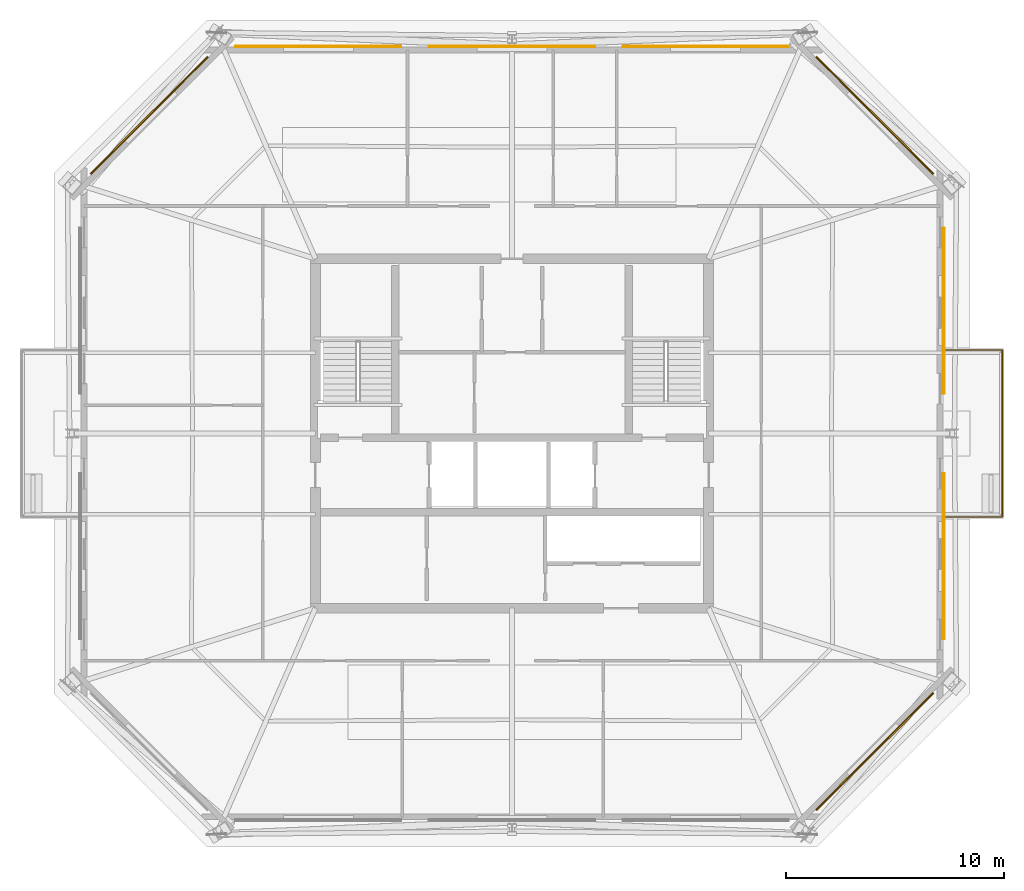
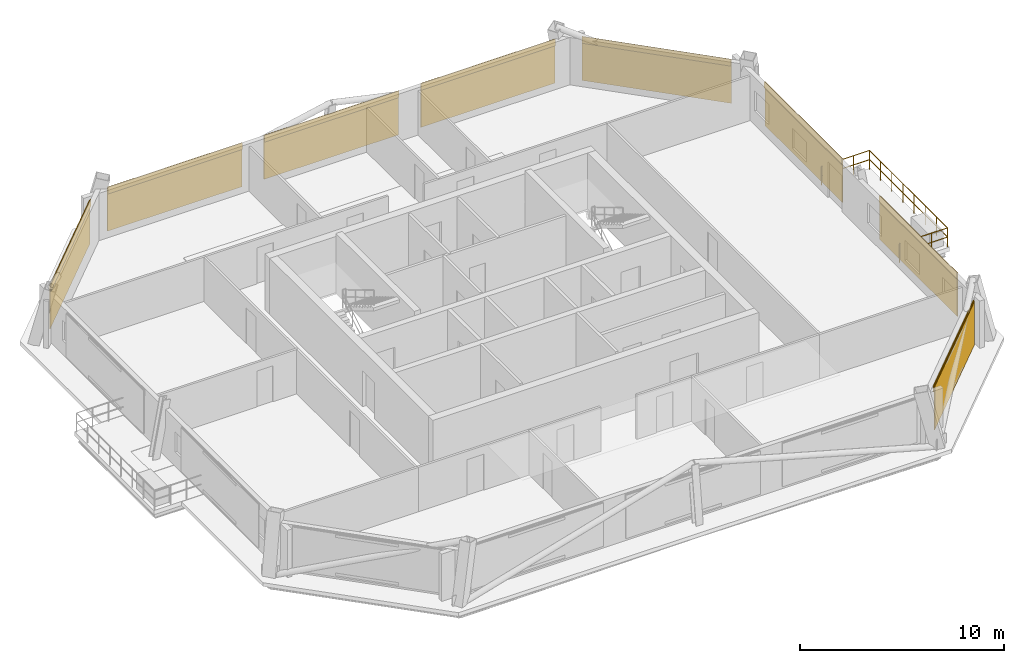
# One storey, part 7 of 7: 8 coverings, 8 shading devices, 1 railing.
"""IFC4 building model written with IfcOpenShell, lengths in metres."""

from ifc_helpers import new_model, si_unit, direction, frame, origin, origin_2d, place, context, subcontext, project, spatial, rectangle, circle, extrude, material, layer, layer_set, type_object, element, save


model = new_model("IFC4")

# Units and contexts
model_context = context("Model", 3, precision=1e-05, world=origin(), true_north=direction((0.0, 1.0)))
body_context = subcontext(model_context, "Body", "Model", "MODEL_VIEW")
ifc_project = project(units=[si_unit("LENGTHUNIT", "METRE"), si_unit("AREAUNIT", "SQUARE_METRE"), si_unit("VOLUMEUNIT", "CUBIC_METRE"), si_unit("PLANEANGLEUNIT", "RADIAN"), si_unit("MASSUNIT", "GRAM", prefix="KILO")], contexts=[model_context])

# Site, building, storey
site_placement = place(None, origin())
site = spatial("IfcSite", under=ifc_project, at=site_placement, CompositionType="ELEMENT")
building_placement = place(site_placement, origin())
building = spatial("IfcBuilding", under=site, at=building_placement, Name="Caelvoria Tower", CompositionType="ELEMENT")
storey_placement = place(building_placement, frame((0.0, 0.0, 227.39990234375)))
storey = spatial("IfcBuildingStorey", under=building, at=storey_placement, Name="L60", CompositionType="ELEMENT", Elevation=227.39990234375)

# Railing
ifc_material_1 = material(Name="Bronze Anodised Aluminium and Stainless Steel", Category="steel")
railing_type = type_object("IfcRailingType", Name="Exterior Terrace and Balcony Guardrail 1150", PredefinedType="GUARDRAIL", material=ifc_material_1)
railing_placement = place(storey_placement, frame((65.732666015625, 28.179931640625, 0.0)))
element("IfcRailing", 1, at=railing_placement, inside=storey, type_object=railing_type, Name="Tree Balcony Guardrail TB-L60-E", PredefinedType="GUARDRAIL", context=body_context, shape_type="SweptSolid", body=[
    extrude(circle(Radius=0.02392578125, at=origin_2d()), frame((0.0, 0.0, 1.1259765625), z_axis=(1.0, 0.0, 0.0), x_axis=(0.0, 1.0, 0.0)), (0.0, 0.0, 1.0), 2.7099609375),
    extrude(circle(Radius=0.02392578125, at=origin_2d()), frame((0.0, 0.0, 0.574951171875), z_axis=(1.0, 0.0, 0.0), x_axis=(0.0, 1.0, 0.0)), (0.0, 0.0, 1.0), 2.7099609375),
    extrude(circle(Radius=0.02392578125, at=origin_2d()), frame((2.7099609375, 0.0, 1.1259765625), z_axis=(0.0, 1.0, 0.0), x_axis=(-1.0, 0.0, 0.0)), (0.0, 0.0, 1.0), 7.64013671875),
    extrude(circle(Radius=0.02392578125, at=origin_2d()), frame((2.7099609375, 0.0, 0.574951171875), z_axis=(0.0, 1.0, 0.0), x_axis=(-1.0, 0.0, 0.0)), (0.0, 0.0, 1.0), 7.64013671875),
    extrude(circle(Radius=0.02392578125, at=origin_2d()), frame((2.7099609375, 7.64013671875, 1.1259765625), z_axis=(-1.0, 0.0, 0.0), x_axis=(0.0, -1.0, 0.0)), (0.0, 0.0, 1.0), 2.7099609375),
    extrude(circle(Radius=0.02392578125, at=origin_2d()), frame((2.7099609375, 7.64013671875, 0.574951171875), z_axis=(-1.0, 0.0, 0.0), x_axis=(0.0, -1.0, 0.0)), (0.0, 0.0, 1.0), 2.7099609375),
    extrude(circle(Radius=0.02099609375, at=origin_2d()), origin(), (0.0, 0.0, 1.0), 1.101806640625),
    extrude(circle(Radius=0.02099609375, at=origin_2d()), frame((0.9033203125, 0.0, 0.0)), (0.0, 0.0, 1.0), 1.101806640625),
    extrude(circle(Radius=0.02099609375, at=origin_2d()), frame((1.806640625, 0.0, 0.0)), (0.0, 0.0, 1.0), 1.101806640625),
    extrude(circle(Radius=0.02099609375, at=origin_2d()), frame((2.7099609375, 0.0, 0.0)), (0.0, 0.0, 1.0), 1.101806640625),
    extrude(circle(Radius=0.02099609375, at=origin_2d()), frame((2.7099609375, 1.091552734375, 0.0)), (0.0, 0.0, 1.0), 1.101806640625),
    extrude(circle(Radius=0.02099609375, at=origin_2d()), frame((2.7099609375, 2.182861328125, 0.0)), (0.0, 0.0, 1.0), 1.101806640625),
    extrude(circle(Radius=0.02099609375, at=origin_2d()), frame((2.7099609375, 3.2744140625, 0.0)), (0.0, 0.0, 1.0), 1.101806640625),
    extrude(circle(Radius=0.02099609375, at=origin_2d()), frame((2.7099609375, 4.36572265625, 0.0)), (0.0, 0.0, 1.0), 1.101806640625),
    extrude(circle(Radius=0.02099609375, at=origin_2d()), frame((2.7099609375, 5.457275390625, 0.0)), (0.0, 0.0, 1.0), 1.101806640625),
    extrude(circle(Radius=0.02099609375, at=origin_2d()), frame((2.7099609375, 6.548583984375, 0.0)), (0.0, 0.0, 1.0), 1.101806640625),
    extrude(circle(Radius=0.02099609375, at=origin_2d()), frame((2.7099609375, 7.64013671875, 0.0)), (0.0, 0.0, 1.0), 1.101806640625),
    extrude(circle(Radius=0.02099609375, at=origin_2d()), frame((1.806640625, 7.64013671875, 0.0)), (0.0, 0.0, 1.0), 1.101806640625),
    extrude(circle(Radius=0.02099609375, at=origin_2d()), frame((0.9033203125, 7.64013671875, 0.0)), (0.0, 0.0, 1.0), 1.101806640625),
    extrude(circle(Radius=0.02099609375, at=origin_2d()), frame((0.0, 7.64013671875, 0.0)), (0.0, 0.0, 1.0), 1.101806640625),
])

# Coverings
ifc_material_2 = material(Name="Perforated Architectural Bronze Cladding Screen", Category="bronze")
ifc_layer_1 = layer(ifc_material_2, 0.0400390625, Name="Perforated Architectural Bronze Cladding Screen")
ifc_layer_set_1 = layer_set([ifc_layer_1], Name="Perforated Bronze Louvre Cladding Band 40 - Perforated Architectural Bronze Cladding Screen")
covering_type = type_object("IfcCoveringType", Name="Perforated Bronze Louvre Cladding Band 40", PredefinedType="CLADDING", material=ifc_layer_set_1)
covering_1_placement = place(storey_placement, frame((62.590087890625, 17.455322265625, 2.412109375), z_axis=(0.0, 0.0, 1.0), x_axis=(0.707106781187, 0.707106781187, 0.0)))
element("IfcCovering", 2, at=covering_1_placement, inside=storey, type_object=covering_type, Name="Perforated Bronze Screen Band L60-E1-00", PredefinedType="CLADDING", context=body_context, shape_type="SweptSolid", body=[
    extrude(rectangle(XDim=7.572509765625, YDim=0.0400390625, at=origin_2d()), origin(), (0.0, 0.0, 1.0), 0.39990234375),
])
for number, where, z_axis, x_axis, name in (
    (3, (65.7373046875, 26.37548828125, 2.412109375), (0.0, 0.0, 1.0), (0.0, 1.0, 0.0), "Perforated Bronze Screen Band L60-E2-00"),
    (4, (65.7373046875, 37.62451171875, 2.412109375), (0.0, 0.0, 1.0), (0.0, 1.0, 0.0), "Perforated Bronze Screen Band L60-E2-01"),
):
    element("IfcCovering", number, at=place(storey_placement, frame(where, z_axis=z_axis, x_axis=x_axis)), inside=storey, type_object=covering_type, Name=name, PredefinedType="CLADDING", context=body_context, shape_type="SweptSolid", body=[
        extrude(rectangle(XDim=7.60009765625, YDim=0.0400390625, at=origin_2d()), origin(), (0.0, 0.0, 1.0), 0.39990234375),
    ])
covering_2_placement = place(storey_placement, frame((62.590087890625, 46.544677734375, 2.412109375), z_axis=(0.0, 0.0, 1.0), x_axis=(-0.707106781187, 0.707106781187, 0.0)))
element("IfcCovering", 5, at=covering_2_placement, inside=storey, type_object=covering_type, Name="Perforated Bronze Screen Band L60-E3-00", PredefinedType="CLADDING", context=body_context, shape_type="SweptSolid", body=[
    extrude(rectangle(XDim=7.572509765625, YDim=0.0400390625, at=origin_2d()), origin(), (0.0, 0.0, 1.0), 0.39990234375),
])
for number, where, z_axis, x_axis, name in (
    (6, (54.863037109375, 49.69189453125, 2.412109375), (0.0, 0.0, 1.0), (-1.0, 0.0, 0.0), "Perforated Bronze Screen Band L60-E4-00"),
    (7, (46.0, 49.69189453125, 2.412109375), (0.0, 0.0, 1.0), (-1.0, 0.0, 0.0), "Perforated Bronze Screen Band L60-E4-01"),
    (8, (37.136962890625, 49.69189453125, 2.412109375), (0.0, 0.0, 1.0), (-1.0, 0.0, 0.0), "Perforated Bronze Screen Band L60-E4-02"),
):
    element("IfcCovering", number, at=place(storey_placement, frame(where, z_axis=z_axis, x_axis=x_axis)), inside=storey, type_object=covering_type, Name=name, PredefinedType="CLADDING", context=body_context, shape_type="SweptSolid", body=[
        extrude(rectangle(XDim=7.60009765625, YDim=0.0400390625, at=origin_2d()), origin(), (0.0, 0.0, 1.0), 0.39990234375),
    ])
covering_3_placement = place(storey_placement, frame((29.409912109375, 46.544677734375, 2.412109375), z_axis=(0.0, 0.0, 1.0), x_axis=(-0.707106781187, -0.707106781187, 0.0)))
element("IfcCovering", 9, at=covering_3_placement, inside=storey, type_object=covering_type, Name="Perforated Bronze Screen Band L60-E5-00", PredefinedType="CLADDING", context=body_context, shape_type="SweptSolid", body=[
    extrude(rectangle(XDim=7.572509765625, YDim=0.0400390625, at=origin_2d()), origin(), (0.0, 0.0, 1.0), 0.39990234375),
])

# Shading devices
ifc_material_3 = material(Name="Perforated Architectural Bronze Alloy Panel", Category="bronze")
ifc_layer_2 = layer(ifc_material_3, 0.044921875, Name="Perforated Architectural Bronze Alloy Panel")
ifc_layer_set_2 = layer_set([ifc_layer_2], Name="Perforated Bronze Solar Screen Panel SCREEN - Perforated Architectural Bronze Alloy Panel")
shading_device_type = type_object("IfcShadingDeviceType", Name="Perforated Bronze Solar Screen Panel SCREEN", PredefinedType="USERDEFINED", material=ifc_layer_set_2)
shading_device_1_placement = place(storey_placement, frame((62.620361328125, 17.425048828125, 0.16015625), z_axis=(0.0, 0.0, 1.0), x_axis=(0.707106781187, 0.707106781187, 0.0)))
element("IfcShadingDevice", 10, at=shading_device_1_placement, inside=storey, type_object=shading_device_type, Name="Perforated Bronze Solar Screen L60-E1-00", ObjectType="SCREEN", PredefinedType="USERDEFINED", context=body_context, shape_type="SweptSolid", body=[
    extrude(rectangle(XDim=7.572509765625, YDim=0.044921875, at=origin_2d()), origin(), (0.0, 0.0, 1.0), 2.592041015625),
])
for number, where, z_axis, x_axis, name in (
    (11, (65.7802734375, 26.37548828125, 0.16015625), (0.0, 0.0, 1.0), (0.0, 1.0, 0.0), "Perforated Bronze Solar Screen L60-E2-00"),
    (12, (65.7802734375, 37.62451171875, 0.16015625), (0.0, 0.0, 1.0), (0.0, 1.0, 0.0), "Perforated Bronze Solar Screen L60-E2-01"),
):
    element("IfcShadingDevice", number, at=place(storey_placement, frame(where, z_axis=z_axis, x_axis=x_axis)), inside=storey, type_object=shading_device_type, Name=name, ObjectType="SCREEN", PredefinedType="USERDEFINED", context=body_context, shape_type="SweptSolid", body=[
        extrude(rectangle(XDim=7.60009765625, YDim=0.044921875, at=origin_2d()), origin(), (0.0, 0.0, 1.0), 2.592041015625),
    ])
shading_device_2_placement = place(storey_placement, frame((62.620361328125, 46.574951171875, 0.16015625), z_axis=(0.0, 0.0, 1.0), x_axis=(-0.707106781187, 0.707106781187, 0.0)))
element("IfcShadingDevice", 13, at=shading_device_2_placement, inside=storey, type_object=shading_device_type, Name="Perforated Bronze Solar Screen L60-E3-00", ObjectType="SCREEN", PredefinedType="USERDEFINED", context=body_context, shape_type="SweptSolid", body=[
    extrude(rectangle(XDim=7.572509765625, YDim=0.044921875, at=origin_2d()), origin(), (0.0, 0.0, 1.0), 2.592041015625),
])
for number, where, z_axis, x_axis, name in (
    (14, (54.863037109375, 49.73486328125, 0.16015625), (0.0, 0.0, 1.0), (-1.0, 0.0, 0.0), "Perforated Bronze Solar Screen L60-E4-00"),
    (15, (46.0, 49.73486328125, 0.16015625), (0.0, 0.0, 1.0), (-1.0, 0.0, 0.0), "Perforated Bronze Solar Screen L60-E4-01"),
    (16, (37.136962890625, 49.73486328125, 0.16015625), (0.0, 0.0, 1.0), (-1.0, 0.0, 0.0), "Perforated Bronze Solar Screen L60-E4-02"),
):
    element("IfcShadingDevice", number, at=place(storey_placement, frame(where, z_axis=z_axis, x_axis=x_axis)), inside=storey, type_object=shading_device_type, Name=name, ObjectType="SCREEN", PredefinedType="USERDEFINED", context=body_context, shape_type="SweptSolid", body=[
        extrude(rectangle(XDim=7.60009765625, YDim=0.044921875, at=origin_2d()), origin(), (0.0, 0.0, 1.0), 2.592041015625),
    ])
shading_device_3_placement = place(storey_placement, frame((29.379638671875, 46.574951171875, 0.16015625), z_axis=(0.0, 0.0, 1.0), x_axis=(-0.707106781187, -0.707106781187, 0.0)))
element("IfcShadingDevice", 17, at=shading_device_3_placement, inside=storey, type_object=shading_device_type, Name="Perforated Bronze Solar Screen L60-E5-00", ObjectType="SCREEN", PredefinedType="USERDEFINED", context=body_context, shape_type="SweptSolid", body=[
    extrude(rectangle(XDim=7.572509765625, YDim=0.044921875, at=origin_2d()), origin(), (0.0, 0.0, 1.0), 2.592041015625),
])

save(model, "model.ifc")
